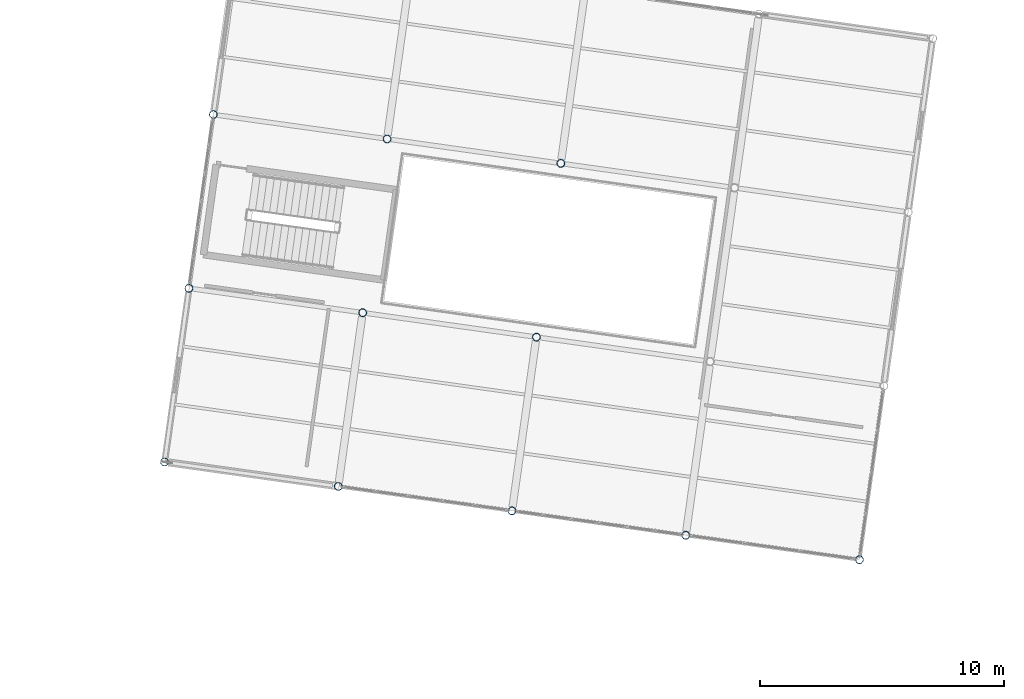
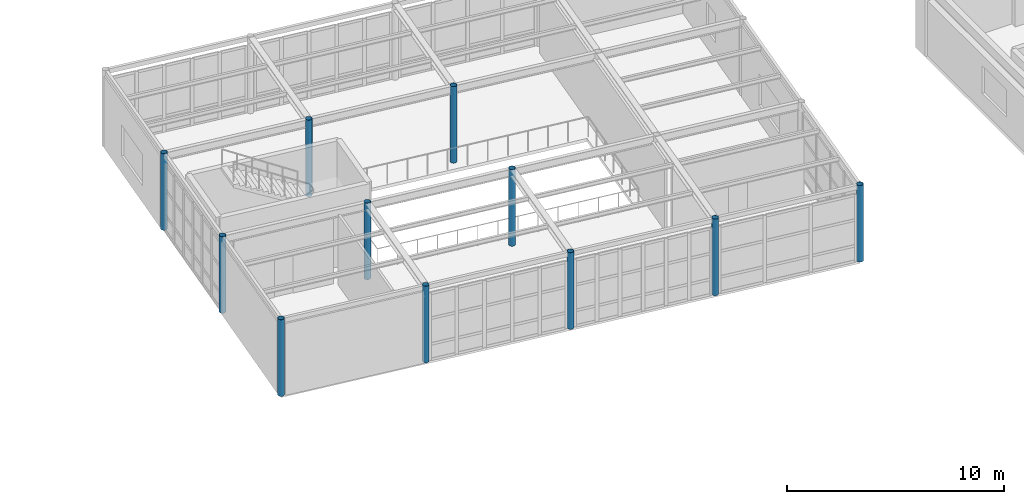
# One storey, part 5 of 80: 11 columns.
"""IFC4 building model written with IfcOpenShell, lengths in metres."""

from ifc_helpers import new_model, si_unit, direction, frame, origin, origin_2d, place, context, subcontext, project, spatial, hollow_circle, extrude, material, material_profile, profile_set, type_object, element, save


model = new_model("IFC4")

# Units and contexts
model_context = context("Model", 3, precision=1e-05, world=origin(), true_north=direction((0.0, 1.0)))
body_context = subcontext(model_context, "Body", "Model", "MODEL_VIEW")
ifc_project = project(units=[si_unit("LENGTHUNIT", "METRE"), si_unit("AREAUNIT", "SQUARE_METRE"), si_unit("VOLUMEUNIT", "CUBIC_METRE"), si_unit("PLANEANGLEUNIT", "RADIAN"), si_unit("MASSUNIT", "GRAM", prefix="KILO")], contexts=[model_context])

# Site, building, storey
site_placement = place(None, origin())
site = spatial("IfcSite", under=ifc_project, at=site_placement, CompositionType="ELEMENT")
building_placement = place(site_placement, origin())
building = spatial("IfcBuilding", under=site, at=building_placement, Name="Kharisveld Research Institute", CompositionType="ELEMENT")
storey_placement = place(building_placement, frame((0.0, 0.0, 5.10009765625)))
storey = spatial("IfcBuildingStorey", under=building, at=storey_placement, Name="L01", CompositionType="ELEMENT", Elevation=5.10009765625)

# Columns
ifc_material = material(Name="Steel S355J2H", Category="steel")
ifc_material_profile = material_profile(ifc_material, hollow_circle(Radius=0.161865234375, WallThickness=0.012451171875, at=origin_2d()))
ifc_profile_set = profile_set([ifc_material_profile], Name="Steel S355J2H")
column_type = type_object("IfcColumnType", Name="COL_ST_CHS324", PredefinedType="COLUMN", material=ifc_profile_set)
for number, where, z_axis, x_axis, name in (
    (1, (75.0, 17.5, 0.0), (0.0, 0.0, 1.0), (0.990268068742, -0.13917310096, 0.0), "COL:V4:L01:U0V0"),
    (2, (76.001953125, 24.6298828125, 0.0), (0.0, 0.0, 1.0), (0.990268068742, -0.13917310096, 0.0), "COL:V4:L01:U0V1"),
    (3, (77.004150390625, 31.759765625, 0.0), (0.0, 0.0, 1.0), (0.990268068742, -0.13917310096, 0.0), "COL:V4:L01:U0V2"),
    (4, (82.1298828125, 16.498046875, 0.0), (0.0, 0.0, 1.0), (0.990268068742, -0.13917310096, 0.0), "COL:V4:L01:U1V0"),
    (5, (83.132080078125, 23.6279296875, 0.0), (0.0, 0.0, 1.0), (0.990268068742, -0.13917310096, 0.0), "COL:V4:L01:U1V1"),
    (6, (84.134033203125, 30.7578125, 0.0), (0.0, 0.0, 1.0), (0.990268068742, -0.13917310096, 0.0), "COL:V4:L01:U1V2"),
    (7, (89.259765625, 15.495849609375, 0.0), (0.0, 0.0, 1.0), (0.990268068742, -0.13917310096, 0.0), "COL:V4:L01:U2V0"),
    (8, (90.261962890625, 22.625732421875, 0.0), (0.0, 0.0, 1.0), (0.990268068742, -0.13917310096, 0.0), "COL:V4:L01:U2V1"),
    (9, (91.263916015625, 29.755859375, 0.0), (0.0, 0.0, 1.0), (0.990268068742, -0.13917310096, 0.0), "COL:V4:L01:U2V2"),
    (10, (96.389892578125, 14.493896484375, 0.0), (0.0, 0.0, 1.0), (0.990268068742, -0.13917310096, 0.0), "COL:V4:L01:U3V0"),
    (11, (103.519775390625, 13.49169921875, 0.0), (0.0, 0.0, 1.0), (0.990268068742, -0.13917310096, 0.0), "COL:V4:L01:U4V0"),
):
    element("IfcColumn", number, at=place(storey_placement, frame(where, z_axis=z_axis, x_axis=x_axis)), inside=storey, type_object=column_type, Name=name, PredefinedType="COLUMN", context=body_context, shape_type="SweptSolid", body=[
        extrude(hollow_circle(Radius=0.161865234375, WallThickness=0.012451171875, at=origin_2d()), origin(), (0.0, 0.0, 1.0), 4.309814453125),
    ])

save(model, "model.ifc")
